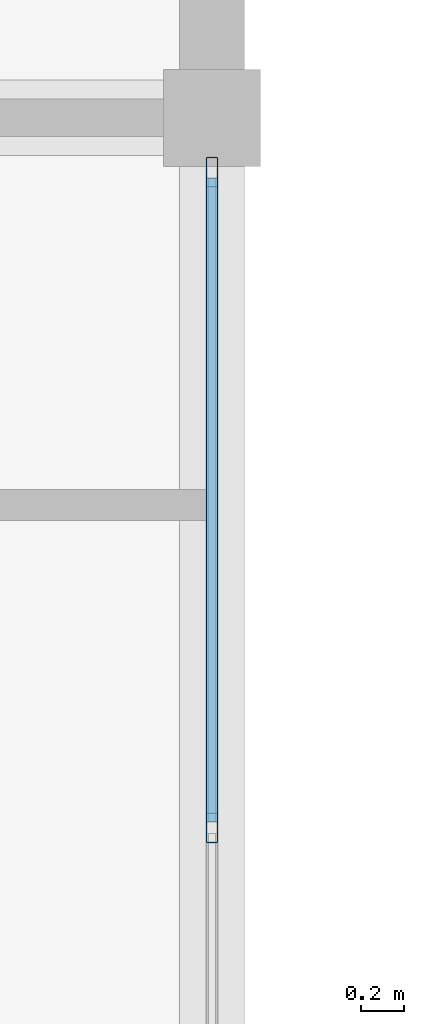
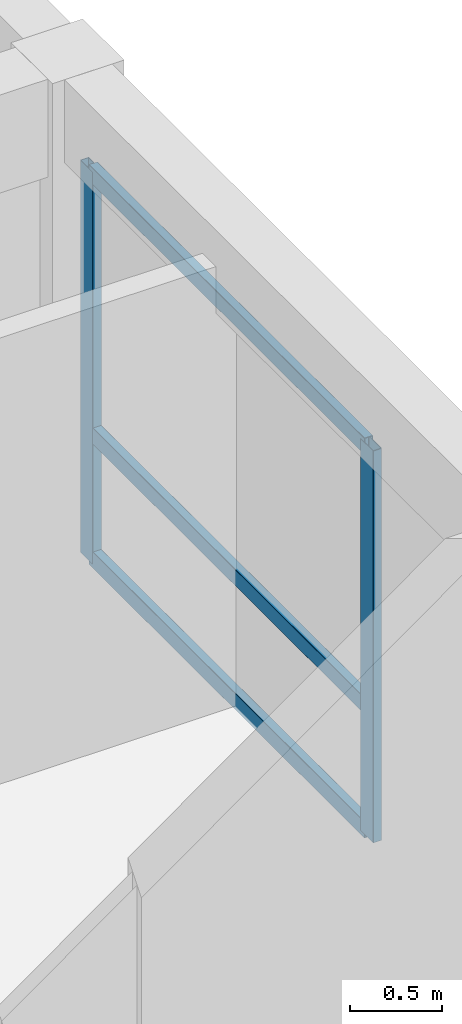
# One storey, part 9 of 51: 5 members, 1 element without a shape of its own.
"""IFC4 building model written with IfcOpenShell, lengths in metres."""

from ifc_helpers import new_model, si_unit, direction, frame, origin, origin_2d, place, context, subcontext, project, spatial, hollow_rectangle, extrude, material, material_profile, profile_set, type_object, element, aggregate, save


model = new_model("IFC4")

# Units and contexts
model_context = context("Model", 3, precision=1e-05, world=origin(), true_north=direction((0.0, 1.0)))
body_context = subcontext(model_context, "Body", "Model", "MODEL_VIEW")
ifc_project = project(units=[si_unit("LENGTHUNIT", "METRE"), si_unit("AREAUNIT", "SQUARE_METRE"), si_unit("VOLUMEUNIT", "CUBIC_METRE"), si_unit("PLANEANGLEUNIT", "RADIAN"), si_unit("MASSUNIT", "GRAM", prefix="KILO")], contexts=[model_context])

# Site, building, storey
site_placement = place(None, origin())
site = spatial("IfcSite", under=ifc_project, at=site_placement, CompositionType="ELEMENT")
building_placement = place(site_placement, origin())
building = spatial("IfcBuilding", under=site, at=building_placement, Name="Kernevlak Ridge Housing Community", CompositionType="ELEMENT")
storey_placement = place(building_placement, frame((0.0, 0.0, 8.39990234375)))
storey = spatial("IfcBuildingStorey", under=building, at=storey_placement, Name="L02", CompositionType="ELEMENT", Elevation=8.39990234375)

# Curtain wall, members
ifc_material_1 = material(Name="Aluminium EN AW-6060 anodised and laminated glass", Category="aluminium")
curtain_wall_type = type_object("IfcCurtainWallType", Name="CW-04", PredefinedType="NOTDEFINED", material=ifc_material_1)
curtain_wall_placement = place(storey_placement, origin())
curtain_wall = element("IfcCurtainWall", 1, at=curtain_wall_placement, inside=storey, type_object=curtain_wall_type, Name="Curtain wall CW-04 CW-L02-147", PredefinedType="NOTDEFINED")
ifc_material_2 = material(Name="Aluminium EN AW-6060 anodised", Category="aluminium")
ifc_material_profile_1 = material_profile(ifc_material_2, hollow_rectangle(XDim=0.054931640625, YDim=0.139892578125, WallThickness=0.00390625, InnerFilletRadius=0.001953125, OuterFilletRadius=0.00390625, at=origin_2d()), Name="ALU 55x140x4")
ifc_profile_set_1 = profile_set([ifc_material_profile_1], Name="Aluminium EN AW-6060 anodised")
member_type_1 = type_object("IfcMemberType", Name="MU-01", PredefinedType="MULLION", material=ifc_profile_set_1)
member_1_placement = place(storey_placement, frame((42.0, 25.5, 0.0), z_axis=(0.0, 0.0, 1.0), x_axis=(-1.0, 0.0, 0.0)))
member_1 = element("IfcMember", 2, at=member_1_placement, type_object=member_type_1, Name="CW-04 mullion 2", PredefinedType="MULLION", context=body_context, shape_type="SweptSolid", body=[
    extrude(hollow_rectangle(XDim=0.054931640625, YDim=0.139892578125, WallThickness=0.00390625, InnerFilletRadius=0.001953125, OuterFilletRadius=0.00390625, at=origin_2d()), origin(), (0.0, 0.0, 1.0), 2.60009765625),
])
member_2_placement = place(storey_placement, frame((42.0, 28.547607421875, 0.0), z_axis=(0.0, 0.0, 1.0), x_axis=(-1.0, 0.0, 0.0)))
member_2 = element("IfcMember", 3, at=member_2_placement, type_object=member_type_1, Name="CW-04 mullion 3", PredefinedType="MULLION", context=body_context, shape_type="SweptSolid", body=[
    extrude(hollow_rectangle(XDim=0.054931640625, YDim=0.139892578125, WallThickness=0.00390625, InnerFilletRadius=0.001953125, OuterFilletRadius=0.00390625, at=origin_2d()), origin(), (0.0, 0.0, 1.0), 2.60009765625),
])
ifc_material_profile_2 = material_profile(ifc_material_2, hollow_rectangle(XDim=0.054931640625, YDim=0.110107421875, WallThickness=0.00390625, InnerFilletRadius=0.001953125, OuterFilletRadius=0.00390625, at=origin_2d()), Name="ALU 55x110x4")
ifc_profile_set_2 = profile_set([ifc_material_profile_2], Name="Aluminium EN AW-6060 anodised")
member_type_2 = type_object("IfcMemberType", Name="TM-01", PredefinedType="USERDEFINED", material=ifc_profile_set_2)
member_3_placement = place(storey_placement, frame((42.0, 25.527587890625, 0.027587890625), z_axis=(0.0, 1.0, 0.0), x_axis=(-1.0, 0.0, 0.0)))
member_3 = element("IfcMember", 4, at=member_3_placement, type_object=member_type_2, Name="CW-04 transom 2.1", ObjectType="TRANSOM", PredefinedType="USERDEFINED", context=body_context, shape_type="SweptSolid", body=[
    extrude(hollow_rectangle(XDim=0.054931640625, YDim=0.110107421875, WallThickness=0.00390625, InnerFilletRadius=0.001953125, OuterFilletRadius=0.00390625, at=origin_2d()), origin(), (0.0, 0.0, 1.0), 2.992431640625),
])
member_4_placement = place(storey_placement, frame((42.0, 25.527587890625, 0.85009765625), z_axis=(0.0, 1.0, 0.0), x_axis=(-1.0, 0.0, 0.0)))
member_4 = element("IfcMember", 5, at=member_4_placement, type_object=member_type_2, Name="CW-04 transom 2.2", ObjectType="TRANSOM", PredefinedType="USERDEFINED", context=body_context, shape_type="SweptSolid", body=[
    extrude(hollow_rectangle(XDim=0.054931640625, YDim=0.110107421875, WallThickness=0.00390625, InnerFilletRadius=0.001953125, OuterFilletRadius=0.00390625, at=origin_2d()), origin(), (0.0, 0.0, 1.0), 2.992431640625),
])
member_5_placement = place(storey_placement, frame((42.0, 25.527587890625, 2.572509765625), z_axis=(0.0, 1.0, 0.0), x_axis=(-1.0, 0.0, 0.0)))
member_5 = element("IfcMember", 6, at=member_5_placement, type_object=member_type_2, Name="CW-04 transom 2.3", ObjectType="TRANSOM", PredefinedType="USERDEFINED", context=body_context, shape_type="SweptSolid", body=[
    extrude(hollow_rectangle(XDim=0.054931640625, YDim=0.110107421875, WallThickness=0.00390625, InnerFilletRadius=0.001953125, OuterFilletRadius=0.00390625, at=origin_2d()), origin(), (0.0, 0.0, 1.0), 2.992431640625),
])
aggregate(curtain_wall, [member_1, member_2, member_3, member_4, member_5])

save(model, "model.ifc")
